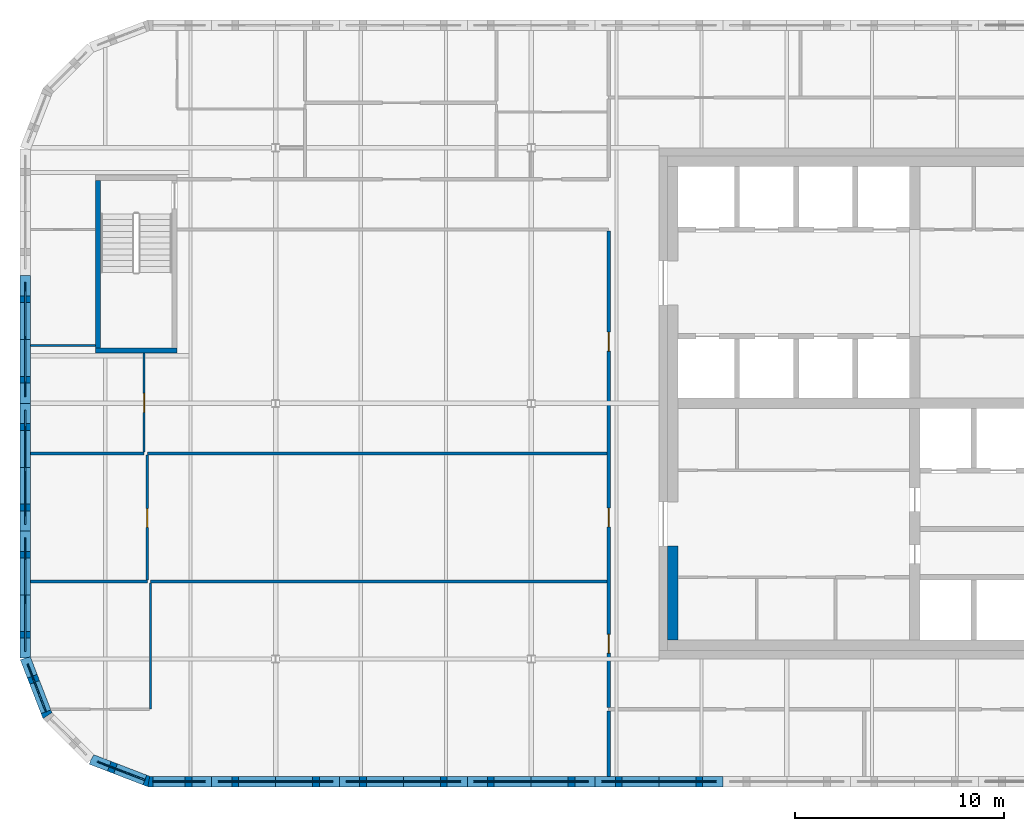
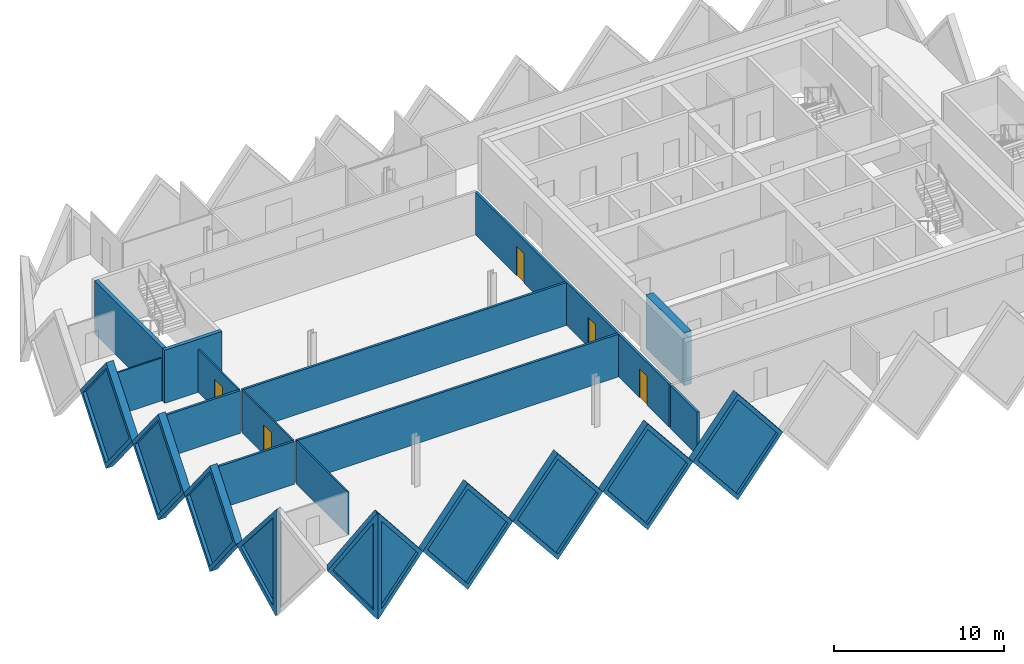
# One storey, part 3 of 10: 23 walls, 10 plates, 5 doors, 15 openings.
"""IFC4 building model written with IfcOpenShell, lengths in metres."""

from ifc_helpers import new_model, si_unit, direction, frame, frame_2d, origin, place, context, subcontext, project, spatial, polyline, rectangle, outline, extrude, faceted_brep, source, transform, mapped, material, layer, layer_set, type_object, element, fill, save


model = new_model("IFC4")

# Units and contexts
model_context = context("Model", 3, precision=1e-05, world=origin(), true_north=direction((0.0, 1.0)))
body_context = subcontext(model_context, "Body", "Model", "MODEL_VIEW")
ifc_project = project(units=[si_unit("LENGTHUNIT", "METRE"), si_unit("AREAUNIT", "SQUARE_METRE"), si_unit("VOLUMEUNIT", "CUBIC_METRE"), si_unit("PLANEANGLEUNIT", "RADIAN"), si_unit("MASSUNIT", "GRAM", prefix="KILO")], contexts=[model_context])

# Site, building, storey
site_placement = place(None, origin())
site = spatial("IfcSite", under=ifc_project, at=site_placement, CompositionType="ELEMENT")
building_placement = place(site_placement, origin())
building = spatial("IfcBuilding", under=site, at=building_placement, Name="Tessera Gate Towers", CompositionType="ELEMENT")
storey_placement = place(building_placement, frame((0.0, 0.0, 244.5)))
storey = spatial("IfcBuildingStorey", under=building, at=storey_placement, Name="L61", CompositionType="ELEMENT", Elevation=244.5)

# Walls
ifc_material_1 = material(Name="Concrete C40/50", Category="concrete")
ifc_layer_1 = layer(ifc_material_1, 0.25)
ifc_layer_set_1 = layer_set([ifc_layer_1], Name="CORE ENCLOSURE WALL 250")
wall_type_1 = type_object("IfcWallType", Name="CORE ENCLOSURE WALL 250", PredefinedType="SOLIDWALL", material=ifc_layer_set_1)
wall_1_placement = place(storey_placement, frame((7.5, 39.125, 0.0), z_axis=(0.0, 0.0, 1.0), x_axis=(-1.0, 0.0, 0.0)))
element("IfcWall", 1, at=wall_1_placement, inside=storey, type_object=wall_type_1, Name="L61 ST3 enclosure wall", PredefinedType="SOLIDWALL", context=body_context, shape_type="SweptSolid", body=[
    extrude(rectangle(XDim=3.89990234375, YDim=0.25, at=frame_2d((1.949951171875, 0.0))), origin(), (0.0, 0.0, 1.0), 3.800048828125),
])
wall_2_placement = place(storey_placement, frame((3.72509765625, 39.25, 0.0), z_axis=(0.0, 0.0, 1.0), x_axis=(0.0, 1.0, 0.0)))
element("IfcWall", 2, at=wall_2_placement, inside=storey, type_object=wall_type_1, Name="L61 ST3 enclosure wall", PredefinedType="SOLIDWALL", context=body_context, shape_type="SweptSolid", body=[
    extrude(rectangle(XDim=8.0, YDim=0.25, at=frame_2d((4.0, 0.0))), origin(), (0.0, 0.0, 1.0), 3.800048828125),
])
ifc_material_2 = material(Name="Concrete C40/50", Category="concrete")
ifc_layer_2 = layer(ifc_material_2, 0.5)
ifc_layer_set_2 = layer_set([ifc_layer_2], Name="CORE WALL THICKENING 500")
wall_type_2 = type_object("IfcWallType", Name="CORE WALL THICKENING 500", PredefinedType="SOLIDWALL", material=ifc_layer_set_2)
wall_3_placement = place(storey_placement, frame((31.14990234375, 25.300048828125, 0.0), z_axis=(0.0, 0.0, 1.0), x_axis=(0.0, 1.0, 0.0)))
element("IfcWall", 3, at=wall_3_placement, inside=storey, type_object=wall_type_2, Name="Core wall thickening W L61", PredefinedType="SOLIDWALL", context=body_context, shape_type="SweptSolid", body=[
    extrude(rectangle(XDim=4.5, YDim=0.5, at=frame_2d((2.25, 0.0))), origin(), (0.0, 0.0, 1.0), 3.800048828125),
])

# Wall, openings, doors
ifc_material_3 = material(Name="Gypsum board on steel studs, mineral wool", Category="steel")
ifc_layer_3 = layer(ifc_material_3, 0.14990234375)
ifc_layer_set_3 = layer_set([ifc_layer_3], Name="CORRIDOR WALL 150")
wall_type_3 = type_object("IfcWallType", Name="CORRIDOR WALL 150", PredefinedType="PARTITIONING", material=ifc_layer_set_3)
wall_4_placement = place(storey_placement, frame((28.10009765625, 22.075927734375, 0.0), z_axis=(0.0, 0.0, 1.0), x_axis=(0.0, 1.0, 0.0)))
wall_4 = element("IfcWall", 4, at=wall_4_placement, inside=storey, type_object=wall_type_3, Name="T1-L61-PW-009", PredefinedType="PARTITIONING", context=body_context, shape_type="SweptSolid", body=[
    extrude(rectangle(XDim=22.748046875, YDim=0.14990234375, at=frame_2d((11.3740234375, 0.0))), origin(), (0.0, 0.0, 1.0), 3.06689453125),
])
shared_shape_1 = source(origin(), body_context, "Body", "SweptSolid", [
    extrude(rectangle(XDim=0.89990234375, YDim=2.10009765625, at=frame_2d((0.449951171875, 1.050048828125))), frame((0.0, 0.0849609375, 0.0), z_axis=(0.0, -1.0, 0.0), x_axis=(1.0, 0.0, 0.0)), (0.0, 0.0, 1.0), 0.169921875),
])
opening_1_placement = place(wall_4_placement, frame((2.60009765625, 0.0, 0.0)))
opening_1 = element("IfcOpeningElement", 5, at=opening_1_placement, cuts=wall_4, Name="Opening D890FD60-A21-03", PredefinedType="OPENING", context=body_context, shape_type="MappedRepresentation", body=[
    mapped(shared_shape_1, transform((0.0, 0.0, 0.0), scale=1.0)),
])
opening_2_placement = place(wall_4_placement, frame((8.625, 0.0, 0.0)))
opening_2 = element("IfcOpeningElement", 6, at=opening_2_placement, cuts=wall_4, Name="Opening D890FD60-A21-04", PredefinedType="OPENING", context=body_context, shape_type="MappedRepresentation", body=[
    mapped(shared_shape_1, transform((0.0, 0.0, 0.0), scale=1.0)),
])
opening_3_placement = place(wall_4_placement, frame((17.02392578125, 0.0, 0.0)))
opening_3 = element("IfcOpeningElement", 7, at=opening_3_placement, cuts=wall_4, Name="Opening D890FD60-A21-09", PredefinedType="OPENING", context=body_context, shape_type="MappedRepresentation", body=[
    mapped(shared_shape_1, transform((0.0, 0.0, 0.0), scale=1.0)),
])
ifc_material_4 = material(Name="Timber door leaf in steel frame", Category="steel")
door_type_1 = type_object("IfcDoorType", Name="CORRIDOR DOOR 900 FD60", OperationType="NOTDEFINED", PredefinedType="DOOR", material=ifc_material_4)
shared_shape_2 = source(origin(), body_context, "Body", "SweptSolid", [
    extrude(rectangle(XDim=0.89990234375, YDim=2.10009765625, at=frame_2d((0.449951171875, 1.050048828125))), frame((0.0, 0.02490234375, 0.0), z_axis=(0.0, -1.0, 0.0), x_axis=(1.0, 0.0, 0.0)), (0.0, 0.0, 1.0), 0.050048828125),
])
door_1_placement = place(opening_1_placement, origin())
door_1 = element("IfcDoor", 8, at=door_1_placement, inside=storey, type_object=door_type_1, Name="T1-L61-PD-007", OperationType="SINGLE_SWING_LEFT", OverallHeight=2.10009765625, OverallWidth=0.89990234375, PredefinedType="DOOR", context=body_context, shape_type="MappedRepresentation", body=[
    mapped(shared_shape_2, transform((0.0, 0.0, 0.0), scale=1.0)),
])
fill(opening_1, door_1)
door_2_placement = place(opening_2_placement, origin())
door_2 = element("IfcDoor", 9, at=door_2_placement, inside=storey, type_object=door_type_1, Name="T1-L61-PD-008", OperationType="SINGLE_SWING_LEFT", OverallHeight=2.10009765625, OverallWidth=0.89990234375, PredefinedType="DOOR", context=body_context, shape_type="MappedRepresentation", body=[
    mapped(shared_shape_2, transform((0.0, 0.0, 0.0), scale=1.0)),
])
fill(opening_2, door_2)
door_3_placement = place(opening_3_placement, origin())
door_3 = element("IfcDoor", 10, at=door_3_placement, inside=storey, type_object=door_type_1, Name="T1-L61-PD-016", OperationType="SINGLE_SWING_LEFT", OverallHeight=2.10009765625, OverallWidth=0.89990234375, PredefinedType="DOOR", context=body_context, shape_type="MappedRepresentation", body=[
    mapped(shared_shape_2, transform((0.0, 0.0, 0.0), scale=1.0)),
])
fill(opening_3, door_3)

# Wall
ifc_material_5 = material(Name="Glass", Category="glass")
ifc_layer_4 = layer(ifc_material_5, 0.10009765625)
ifc_layer_set_4 = layer_set([ifc_layer_4], Name="GLAZED PARTITION 100")
wall_type_4 = type_object("IfcWallType", Name="GLAZED PARTITION 100", PredefinedType="PARTITIONING", material=ifc_layer_set_4)
wall_5_placement = place(storey_placement, frame((6.22509765625, 22.0, 0.0), z_axis=(0.0, 0.0, 1.0), x_axis=(0.0, 1.0, 0.0)))
element("IfcWall", 11, at=wall_5_placement, inside=storey, type_object=wall_type_4, Name="T1-L61-PW-005", PredefinedType="PARTITIONING", context=body_context, shape_type="SweptSolid", body=[
    extrude(rectangle(XDim=6.02392578125, YDim=0.10009765625, at=frame_2d((3.011962890625, 0.0))), origin(), (0.0, 0.0, 1.0), 3.06689453125),
])

# Wall, opening, door
wall_6_placement = place(storey_placement, frame((6.074951171875, 28.176025390625, 0.0), z_axis=(0.0, 0.0, 1.0), x_axis=(0.0, 1.0, 0.0)))
wall_6 = element("IfcWall", 12, at=wall_6_placement, inside=storey, type_object=wall_type_4, Name="T1-L61-PW-012", PredefinedType="PARTITIONING", context=body_context, shape_type="SweptSolid", body=[
    extrude(rectangle(XDim=5.947998046875, YDim=0.10009765625, at=frame_2d((2.97412109375, 0.0))), origin(), (0.0, 0.0, 1.0), 3.06689453125),
])
shared_shape_3 = source(origin(), body_context, "Body", "SweptSolid", [
    extrude(rectangle(XDim=0.89990234375, YDim=2.10009765625, at=frame_2d((0.449951171875, 1.050048828125))), frame((0.0, 0.06005859375, 0.0), z_axis=(0.0, -1.0, 0.0), x_axis=(1.0, 0.0, 0.0)), (0.0, 0.0, 1.0), 0.1201171875),
])
opening_4_placement = place(wall_6_placement, frame((2.5, 0.0, 0.0)))
opening_4 = element("IfcOpeningElement", 13, at=opening_4_placement, cuts=wall_6, Name="Opening D690-A21-04", PredefinedType="OPENING", context=body_context, shape_type="MappedRepresentation", body=[
    mapped(shared_shape_3, transform((0.0, 0.0, 0.0), scale=1.0)),
])
ifc_material_6 = material(Name="Glass in aluminium frame", Category="aluminium")
door_type_2 = type_object("IfcDoorType", Name="GLAZED DOOR 900 NOT RATED", OperationType="NOTDEFINED", PredefinedType="DOOR", material=ifc_material_6)
door_4_placement = place(opening_4_placement, origin())
door_4 = element("IfcDoor", 14, at=door_4_placement, inside=storey, type_object=door_type_2, Name="T1-L61-PD-006", OperationType="SINGLE_SWING_LEFT", OverallHeight=2.10009765625, OverallWidth=0.89990234375, PredefinedType="DOOR", context=body_context, shape_type="MappedRepresentation", body=[
    mapped(shared_shape_2, transform((0.0, 0.0, 0.0), scale=1.0)),
])
fill(opening_4, door_4)

wall_7_placement = place(storey_placement, frame((5.925048828125, 34.27587890625, 0.0), z_axis=(0.0, 0.0, 1.0), x_axis=(0.0, 1.0, 0.0)))
wall_7 = element("IfcWall", 15, at=wall_7_placement, inside=storey, type_object=wall_type_4, Name="T1-L61-PW-015", PredefinedType="PARTITIONING", context=body_context, shape_type="SweptSolid", body=[
    extrude(rectangle(XDim=4.72412109375, YDim=0.10009765625, at=frame_2d((2.362060546875, 0.0))), origin(), (0.0, 0.0, 1.0), 3.06689453125),
])
opening_5_placement = place(wall_7_placement, frame((1.89990234375, 0.0, 0.0)))
opening_5 = element("IfcOpeningElement", 16, at=opening_5_placement, cuts=wall_7, Name="Opening D690-A21-02", PredefinedType="OPENING", context=body_context, shape_type="MappedRepresentation", body=[
    mapped(shared_shape_3, transform((0.0, 0.0, 0.0), scale=1.0)),
])
door_5_placement = place(opening_5_placement, origin())
door_5 = element("IfcDoor", 17, at=door_5_placement, inside=storey, type_object=door_type_2, Name="T1-L61-PD-003", OperationType="SINGLE_SWING_LEFT", OverallHeight=2.10009765625, OverallWidth=0.89990234375, PredefinedType="DOOR", context=body_context, shape_type="MappedRepresentation", body=[
    mapped(shared_shape_2, transform((0.0, 0.0, 0.0), scale=1.0)),
])
fill(opening_5, door_5)

# Walls
ifc_material_7 = material(Name="Gypsum board on steel studs", Category="steel")
ifc_layer_5 = layer(ifc_material_7, 0.10009765625)
ifc_layer_set_5 = layer_set([ifc_layer_5], Name="PARTITION 100")
wall_type_5 = type_object("IfcWallType", Name="PARTITION 100", PredefinedType="PARTITIONING", material=ifc_layer_set_5)
wall_8_placement = place(storey_placement, frame((0.5, 39.368896484375, 0.0), z_axis=(0.0, 0.0, 1.0), x_axis=(1.0, 0.0, 0.0)))
element("IfcWall", 18, at=wall_8_placement, inside=storey, type_object=wall_type_5, Name="T1-L61-PW-016", PredefinedType="PARTITIONING", context=body_context, shape_type="SweptSolid", body=[
    extrude(rectangle(XDim=3.10009765625, YDim=0.10009765625, at=frame_2d((1.550048828125, 0.0))), origin(), (0.0, 0.0, 1.0), 3.06689453125),
])
ifc_material_8 = material(Name="Gypsum board on steel studs, mineral wool", Category="steel")
ifc_layer_6 = layer(ifc_material_8, 0.14990234375)
ifc_layer_set_6 = layer_set([ifc_layer_6], Name="TENANCY WALL 150")
wall_type_6 = type_object("IfcWallType", Name="TENANCY WALL 150", PredefinedType="PARTITIONING", material=ifc_layer_set_6)
wall_9_placement = place(storey_placement, frame((28.10009765625, 18.800048828125, 0.0), z_axis=(0.0, 0.0, 1.0), x_axis=(0.0, 1.0, 0.0)))
element("IfcWall", 19, at=wall_9_placement, inside=storey, type_object=wall_type_6, Name="T1-L61-PW-001", PredefinedType="PARTITIONING", context=body_context, shape_type="SweptSolid", body=[
    extrude(rectangle(XDim=3.1240234375, YDim=0.14990234375, at=frame_2d((1.56201171875, 0.0))), origin(), (0.0, 0.0, 1.0), 3.06689453125),
])
wall_10_placement = place(storey_placement, frame((0.5, 28.10009765625, 0.0), z_axis=(0.0, 0.0, 1.0), x_axis=(1.0, 0.0, 0.0)))
element("IfcWall", 20, at=wall_10_placement, inside=storey, type_object=wall_type_6, Name="T1-L61-PW-010", PredefinedType="PARTITIONING", context=body_context, shape_type="SweptSolid", body=[
    extrude(rectangle(XDim=5.574951171875, YDim=0.14990234375, at=frame_2d((2.78759765625, 0.0))), origin(), (0.0, 0.0, 1.0), 3.06689453125),
])
wall_11_placement = place(storey_placement, frame((6.22509765625, 28.10009765625, 0.0), z_axis=(0.0, 0.0, 1.0), x_axis=(1.0, 0.0, 0.0)))
element("IfcWall", 21, at=wall_11_placement, inside=storey, type_object=wall_type_6, Name="T1-L61-PW-011", PredefinedType="PARTITIONING", context=body_context, shape_type="SweptSolid", body=[
    extrude(rectangle(XDim=21.798828125, YDim=0.14990234375, at=frame_2d((10.8994140625, 0.0))), origin(), (0.0, 0.0, 1.0), 3.06689453125),
])
wall_12_placement = place(storey_placement, frame((0.5, 34.199951171875, 0.0), z_axis=(0.0, 0.0, 1.0), x_axis=(1.0, 0.0, 0.0)))
element("IfcWall", 22, at=wall_12_placement, inside=storey, type_object=wall_type_6, Name="T1-L61-PW-013", PredefinedType="PARTITIONING", context=body_context, shape_type="SweptSolid", body=[
    extrude(rectangle(XDim=5.425048828125, YDim=0.14990234375, at=frame_2d((2.71240234375, 0.0))), origin(), (0.0, 0.0, 1.0), 3.06689453125),
])
wall_13_placement = place(storey_placement, frame((6.074951171875, 34.199951171875, 0.0), z_axis=(0.0, 0.0, 1.0), x_axis=(1.0, 0.0, 0.0)))
element("IfcWall", 23, at=wall_13_placement, inside=storey, type_object=wall_type_6, Name="T1-L61-PW-014", PredefinedType="PARTITIONING", context=body_context, shape_type="SweptSolid", body=[
    extrude(rectangle(XDim=21.948974609375, YDim=0.14990234375, at=frame_2d((10.974609375, 0.0))), origin(), (0.0, 0.0, 1.0), 3.06689453125),
])

# Wall, opening, plate
ifc_material_9 = material(Name="Precast concrete C60/75 white", Category="concrete")
ifc_layer_7 = layer(ifc_material_9, 0.5)
ifc_layer_set_7 = layer_set([ifc_layer_7], Name="TS1 tessera")
wall_type_7 = type_object("IfcWallType", Name="TS1 tessera", PredefinedType="SOLIDWALL", material=ifc_layer_set_7)
shared_shape_4 = source(origin(), body_context, "Body", "Brep", [
    faceted_brep([(3.050048828125, -0.25, 0.0), (6.099853515625, -0.25, 3.7998046875), (6.099853515625, -0.25, 3.80029296875), (3.050048828125, -0.25, 7.60009765625), (0.0, -0.25, 3.800048828125), (0.0, 0.25, 3.800048828125), (3.050048828125, 0.25, 7.60009765625), (6.099853515625, 0.25, 3.80029296875), (6.099853515625, 0.25, 3.7998046875), (3.050048828125, 0.25, 0.0)], [[[0, 1, 2, 3, 4]], [[5, 6, 7, 8, 9]], [[9, 8, 1, 0]], [[7, 6, 3, 2]], [[6, 5, 4, 3]], [[5, 9, 0, 4]], [[1, 8, 7, 2]]]),
])
wall_14_placement = place(storey_placement, frame((21.35009765625, 18.550048828125, -3.800048828125), z_axis=(0.0, 0.0, 1.0), x_axis=(1.0, 0.0, 0.0)))
wall_14 = element("IfcWall", 24, at=wall_14_placement, inside=storey, type_object=wall_type_7, Name="Precast tessera T1 TS1-1059", PredefinedType="SOLIDWALL", context=body_context, shape_type="MappedRepresentation", body=[
    mapped(shared_shape_4, transform((0.0, 0.0, 0.0), scale=1.0)),
])
shared_shape_5 = source(origin(), body_context, "Body", "SweptSolid", [
    extrude(outline(polyline([(3.050048828125, 0.3994140625), (5.779541015625, 3.800048828125), (3.050048828125, 7.20068359375), (0.320556640625, 3.800048828125), (3.050048828125, 0.3994140625)])), frame((0.0, 0.260009765625, 0.0), z_axis=(0.0, -1.0, 0.0), x_axis=(1.0, 0.0, 0.0)), (0.0, 0.0, 1.0), 0.52001953125),
])
opening_6_placement = place(wall_14_placement, origin())
opening_6 = element("IfcOpeningElement", 25, at=opening_6_placement, cuts=wall_14, Name="Opening T1-PL2-2161", PredefinedType="OPENING", context=body_context, shape_type="MappedRepresentation", body=[
    mapped(shared_shape_5, transform((0.0, 0.0, 0.0), scale=1.0)),
])
ifc_material_10 = material(Name="Low-e laminated glass", Category="glass")
ifc_layer_8 = layer(ifc_material_10, 0.06005859375)
ifc_layer_set_8 = layer_set([ifc_layer_8], Name="PL2 rhombic pane")
plate_type = type_object("IfcPlateType", Name="PL2 rhombic pane", PredefinedType="SHEET", material=ifc_layer_set_8)
shared_shape_6 = source(origin(), body_context, "Body", "SweptSolid", [
    extrude(outline(polyline([(3.050048828125, 0.3994140625), (5.779541015625, 3.800048828125), (3.050048828125, 7.20068359375), (0.320556640625, 3.800048828125), (3.050048828125, 0.3994140625)])), frame((0.0, 0.030029296875, 0.0), z_axis=(0.0, -1.0, 0.0), x_axis=(1.0, 0.0, 0.0)), (0.0, 0.0, 1.0), 0.06005859375),
])
plate_1_placement = place(opening_6_placement, origin())
plate_1 = element("IfcPlate", 26, at=plate_1_placement, inside=storey, type_object=plate_type, Name="Glass pane T1 PL2-2161", PredefinedType="SHEET", context=body_context, shape_type="MappedRepresentation", body=[
    mapped(shared_shape_6, transform((0.0, 0.0, 0.0), scale=1.0)),
])
fill(opening_6, plate_1)

wall_15_placement = place(storey_placement, frame((0.25, 42.699951171875, -3.800048828125), z_axis=(0.0, 0.0, 1.0), x_axis=(0.0, -1.0, 0.0)))
wall_15 = element("IfcWall", 27, at=wall_15_placement, inside=storey, type_object=wall_type_7, Name="Precast tessera T1 TS1-1076", PredefinedType="SOLIDWALL", context=body_context, shape_type="MappedRepresentation", body=[
    mapped(shared_shape_4, transform((0.0, 0.0, 0.0), scale=1.0)),
])
opening_7_placement = place(wall_15_placement, origin())
opening_7 = element("IfcOpeningElement", 28, at=opening_7_placement, cuts=wall_15, Name="Opening T1-PL2-2190", PredefinedType="OPENING", context=body_context, shape_type="MappedRepresentation", body=[
    mapped(shared_shape_5, transform((0.0, 0.0, 0.0), scale=1.0)),
])
plate_2_placement = place(opening_7_placement, origin())
plate_2 = element("IfcPlate", 29, at=plate_2_placement, inside=storey, type_object=plate_type, Name="Glass pane T1 PL2-2190", PredefinedType="SHEET", context=body_context, shape_type="MappedRepresentation", body=[
    mapped(shared_shape_6, transform((0.0, 0.0, 0.0), scale=1.0)),
])
fill(opening_7, plate_2)

shared_shape_7 = source(origin(), body_context, "Body", "SweptSolid", [
    extrude(outline(polyline([(3.050048828125, 0.0), (6.10009765625, 3.800048828125), (3.050048828125, 7.60009765625), (0.0, 3.800048828125), (3.050048828125, 0.0)])), frame((0.0, 0.25, 0.0), z_axis=(0.0, -1.0, 0.0), x_axis=(1.0, 0.0, 0.0)), (0.0, 0.0, 1.0), 0.5),
])
wall_16_placement = place(storey_placement, frame((9.14990234375, 18.550048828125, -3.800048828125), z_axis=(0.0, 0.0, 1.0), x_axis=(1.0, 0.0, 0.0)))
wall_16 = element("IfcWall", 30, at=wall_16_placement, inside=storey, type_object=wall_type_7, Name="Precast tessera T1 TS1-1057", PredefinedType="SOLIDWALL", context=body_context, shape_type="MappedRepresentation", body=[
    mapped(shared_shape_7, transform((0.0, 0.0, 0.0), scale=1.0)),
])
opening_8_placement = place(wall_16_placement, origin())
opening_8 = element("IfcOpeningElement", 31, at=opening_8_placement, cuts=wall_16, Name="Opening T1-PL2-2159", PredefinedType="OPENING", context=body_context, shape_type="MappedRepresentation", body=[
    mapped(shared_shape_5, transform((0.0, 0.0, 0.0), scale=1.0)),
])
plate_3_placement = place(opening_8_placement, origin())
plate_3 = element("IfcPlate", 32, at=plate_3_placement, inside=storey, type_object=plate_type, Name="Glass pane T1 PL2-2159", PredefinedType="SHEET", context=body_context, shape_type="MappedRepresentation", body=[
    mapped(shared_shape_6, transform((0.0, 0.0, 0.0), scale=1.0)),
])
fill(opening_8, plate_3)

wall_17_placement = place(storey_placement, frame((15.25, 18.550048828125, -3.800048828125), z_axis=(0.0, 0.0, 1.0), x_axis=(1.0, 0.0, 0.0)))
wall_17 = element("IfcWall", 33, at=wall_17_placement, inside=storey, type_object=wall_type_7, Name="Precast tessera T1 TS1-1058", PredefinedType="SOLIDWALL", context=body_context, shape_type="MappedRepresentation", body=[
    mapped(shared_shape_7, transform((0.0, 0.0, 0.0), scale=1.0)),
])
opening_9_placement = place(wall_17_placement, origin())
opening_9 = element("IfcOpeningElement", 34, at=opening_9_placement, cuts=wall_17, Name="Opening T1-PL2-2160", PredefinedType="OPENING", context=body_context, shape_type="MappedRepresentation", body=[
    mapped(shared_shape_5, transform((0.0, 0.0, 0.0), scale=1.0)),
])
plate_4_placement = place(opening_9_placement, origin())
plate_4 = element("IfcPlate", 35, at=plate_4_placement, inside=storey, type_object=plate_type, Name="Glass pane T1 PL2-2160", PredefinedType="SHEET", context=body_context, shape_type="MappedRepresentation", body=[
    mapped(shared_shape_6, transform((0.0, 0.0, 0.0), scale=1.0)),
])
fill(opening_9, plate_4)

wall_18_placement = place(storey_placement, frame((27.449951171875, 18.550048828125, -3.800048828125), z_axis=(0.0, 0.0, 1.0), x_axis=(1.0, 0.0, 0.0)))
wall_18 = element("IfcWall", 36, at=wall_18_placement, inside=storey, type_object=wall_type_7, Name="Precast tessera T1 TS1-1060", PredefinedType="SOLIDWALL", context=body_context, shape_type="MappedRepresentation", body=[
    mapped(shared_shape_7, transform((0.0, 0.0, 0.0), scale=1.0)),
])
opening_10_placement = place(wall_18_placement, origin())
opening_10 = element("IfcOpeningElement", 37, at=opening_10_placement, cuts=wall_18, Name="Opening T1-PL2-2162", PredefinedType="OPENING", context=body_context, shape_type="MappedRepresentation", body=[
    mapped(shared_shape_5, transform((0.0, 0.0, 0.0), scale=1.0)),
])
plate_5_placement = place(opening_10_placement, origin())
plate_5 = element("IfcPlate", 38, at=plate_5_placement, inside=storey, type_object=plate_type, Name="Glass pane T1 PL2-2162", PredefinedType="SHEET", context=body_context, shape_type="MappedRepresentation", body=[
    mapped(shared_shape_6, transform((0.0, 0.0, 0.0), scale=1.0)),
])
fill(opening_10, plate_5)

wall_19_placement = place(storey_placement, frame((0.25, 36.60009765625, -3.800048828125), z_axis=(0.0, 0.0, 1.0), x_axis=(0.0, -1.0, 0.0)))
wall_19 = element("IfcWall", 39, at=wall_19_placement, inside=storey, type_object=wall_type_7, Name="Precast tessera T1 TS1-1077", PredefinedType="SOLIDWALL", context=body_context, shape_type="MappedRepresentation", body=[
    mapped(shared_shape_7, transform((0.0, 0.0, 0.0), scale=1.0)),
])
opening_11_placement = place(wall_19_placement, origin())
opening_11 = element("IfcOpeningElement", 40, at=opening_11_placement, cuts=wall_19, Name="Opening T1-PL2-2191", PredefinedType="OPENING", context=body_context, shape_type="MappedRepresentation", body=[
    mapped(shared_shape_5, transform((0.0, 0.0, 0.0), scale=1.0)),
])
plate_6_placement = place(opening_11_placement, origin())
plate_6 = element("IfcPlate", 41, at=plate_6_placement, inside=storey, type_object=plate_type, Name="Glass pane T1 PL2-2191", PredefinedType="SHEET", context=body_context, shape_type="MappedRepresentation", body=[
    mapped(shared_shape_6, transform((0.0, 0.0, 0.0), scale=1.0)),
])
fill(opening_11, plate_6)

shared_shape_8 = source(origin(), body_context, "Body", "Brep", [
    faceted_brep([(3.050048828125, -0.25, 0.0), (6.053466796875, -0.25, 3.800048828125), (3.050048828125, -0.25, 7.60009765625), (0.0, -0.25, 3.800048828125), (0.0, 0.25, 3.800048828125), (3.050048828125, 0.25, 7.60009765625), (6.0068359375, 0.25, 3.85888671875), (6.0068359375, 0.25, 3.7412109375), (3.050048828125, 0.25, 0.0), (6.053466796875, 0.0, 3.800048828125)], [[[0, 1, 2, 3]], [[4, 5, 6, 7, 8]], [[8, 7, 9, 1, 0]], [[6, 5, 2, 1, 9]], [[5, 4, 3, 2]], [[4, 8, 0, 3]], [[9, 7, 6]]]),
])
wall_20_placement = place(storey_placement, frame((0.25, 30.5, -3.800048828125), z_axis=(0.0, 0.0, 1.0), x_axis=(0.0, -1.0, 0.0)))
wall_20 = element("IfcWall", 42, at=wall_20_placement, inside=storey, type_object=wall_type_7, Name="Precast tessera T1 TS1-1078", PredefinedType="SOLIDWALL", context=body_context, shape_type="MappedRepresentation", body=[
    mapped(shared_shape_8, transform((0.0, 0.0, 0.0), scale=1.0)),
])
shared_shape_9 = source(origin(), body_context, "Body", "SweptSolid", [
    extrude(outline(polyline([(3.048583984375, 0.4013671875), (5.73486328125, 3.800048828125), (3.048583984375, 7.19873046875), (0.320556640625, 3.800048828125), (3.048583984375, 0.4013671875)])), frame((0.0, 0.260009765625, 0.0), z_axis=(0.0, -1.0, 0.0), x_axis=(1.0, 0.0, 0.0)), (0.0, 0.0, 1.0), 0.52001953125),
])
opening_12_placement = place(wall_20_placement, origin())
opening_12 = element("IfcOpeningElement", 43, at=opening_12_placement, cuts=wall_20, Name="Opening T1-PL2-2192", PredefinedType="OPENING", context=body_context, shape_type="MappedRepresentation", body=[
    mapped(shared_shape_9, transform((0.0, 0.0, 0.0), scale=1.0)),
])
shared_shape_10 = source(origin(), body_context, "Body", "SweptSolid", [
    extrude(outline(polyline([(3.048583984375, 0.4013671875), (5.73486328125, 3.800048828125), (3.048583984375, 7.19873046875), (0.320556640625, 3.800048828125), (3.048583984375, 0.4013671875)])), frame((0.0, 0.030029296875, 0.0), z_axis=(0.0, -1.0, 0.0), x_axis=(1.0, 0.0, 0.0)), (0.0, 0.0, 1.0), 0.06005859375),
])
plate_7_placement = place(opening_12_placement, origin())
plate_7 = element("IfcPlate", 44, at=plate_7_placement, inside=storey, type_object=plate_type, Name="Glass pane T1 PL2-2192", PredefinedType="SHEET", context=body_context, shape_type="MappedRepresentation", body=[
    mapped(shared_shape_10, transform((0.0, 0.0, 0.0), scale=1.0)),
])
fill(opening_12, plate_7)

ifc_material_11 = material(Name="Precast concrete C60/75 white", Category="concrete")
ifc_layer_9 = layer(ifc_material_11, 0.5)
ifc_layer_set_9 = layer_set([ifc_layer_9], Name="TS3 corner tessera")
wall_type_8 = type_object("IfcWallType", Name="TS3 corner tessera", PredefinedType="SOLIDWALL", material=ifc_layer_set_9)
shared_shape_11 = source(origin(), body_context, "Body", "Brep", [
    faceted_brep([(2.950439453125, -0.25, 0.0), (2.9970703125, -0.25, 0.05908203125), (2.9970703125, -0.25, 7.541015625), (2.950439453125, -0.25, 7.60009765625), (0.0, -0.25, 3.800048828125), (0.052978515625, 0.25, 3.8681640625), (2.904052734375, 0.25, 7.540283203125), (2.904052734375, 0.25, 0.059814453125), (0.052978515625, 0.25, 3.73193359375), (2.950439453125, 0.00048828125, 0.0), (2.950439453125, 0.00048828125, 7.60009765625), (0.0, 0.0, 3.800048828125)], [[[0, 1, 2, 3, 4]], [[5, 6, 7, 8]], [[1, 0, 9]], [[10, 3, 2]], [[6, 5, 11, 4, 3, 10]], [[8, 7, 9, 0, 4, 11]], [[8, 11, 5]], [[1, 9, 7, 6, 10, 2]]]),
])
wall_21_placement = place(storey_placement, frame((3.393798828125, 19.61181640625, -3.800048828125), z_axis=(0.0, 0.0, 1.0), x_axis=(0.932990326376, -0.359901446078, 0.0)))
wall_21 = element("IfcWall", 45, at=wall_21_placement, inside=storey, type_object=wall_type_8, Name="Precast corner tessera T1 TS3-1402", PredefinedType="SOLIDWALL", context=body_context, shape_type="MappedRepresentation", body=[
    mapped(shared_shape_11, transform((0.0, 0.0, 0.0), scale=1.0)),
])
shared_shape_12 = source(origin(), body_context, "Body", "SweptSolid", [
    extrude(outline(polyline([(2.75048828125, 6.934814453125), (0.31640625, 3.800048828125), (2.75048828125, 0.665283203125), (2.75048828125, 6.934814453125)])), frame((0.0, 0.260009765625, 0.0), z_axis=(0.0, -1.0, 0.0), x_axis=(1.0, 0.0, 0.0)), (0.0, 0.0, 1.0), 0.52001953125),
])
opening_13_placement = place(wall_21_placement, origin())
opening_13 = element("IfcOpeningElement", 46, at=opening_13_placement, cuts=wall_21, Name="Opening T1-PL2-2158", PredefinedType="OPENING", context=body_context, shape_type="MappedRepresentation", body=[
    mapped(shared_shape_12, transform((0.0, 0.0, 0.0), scale=1.0)),
])
shared_shape_13 = source(origin(), body_context, "Body", "SweptSolid", [
    extrude(outline(polyline([(2.75048828125, 6.934814453125), (0.31640625, 3.800048828125), (2.75048828125, 0.665283203125), (2.75048828125, 6.934814453125)])), frame((0.0, 0.030029296875, 0.0), z_axis=(0.0, -1.0, 0.0), x_axis=(1.0, 0.0, 0.0)), (0.0, 0.0, 1.0), 0.06005859375),
])
plate_8_placement = place(opening_13_placement, origin())
plate_8 = element("IfcPlate", 47, at=plate_8_placement, inside=storey, type_object=plate_type, Name="Glass pane T1 PL2-2158", PredefinedType="SHEET", context=body_context, shape_type="MappedRepresentation", body=[
    mapped(shared_shape_13, transform((0.0, 0.0, 0.0), scale=1.0)),
])
fill(opening_13, plate_8)

shared_shape_14 = source(origin(), body_context, "Body", "Brep", [
    faceted_brep([(0.046630859375, -0.25, 0.0), (3.050048828125, -0.25, 3.800048828125), (0.046630859375, -0.25, 7.60009765625), (0.0, -0.25, 7.5400390625), (0.0, -0.25, 0.06005859375), (0.09326171875, 0.25, 7.541259765625), (3.050048828125, 0.25, 3.800048828125), (0.09326171875, 0.25, 0.058837890625), (0.046630859375, 0.0, 0.0), (0.046630859375, 0.0, 7.60009765625)], [[[0, 1, 2, 3, 4]], [[5, 6, 7]], [[7, 6, 1, 0, 8]], [[6, 5, 9, 2, 1]], [[3, 2, 9]], [[8, 0, 4]], [[7, 8, 4, 3, 9, 5]]]),
])
wall_22_placement = place(storey_placement, frame((6.099853515625, 18.550048828125, -3.800048828125), z_axis=(0.0, 0.0, 1.0), x_axis=(1.0, 0.0, 0.0)))
wall_22 = element("IfcWall", 48, at=wall_22_placement, inside=storey, type_object=wall_type_8, Name="Precast corner tessera T1 TS3-1401", PredefinedType="SOLIDWALL", context=body_context, shape_type="MappedRepresentation", body=[
    mapped(shared_shape_14, transform((0.0, 0.0, 0.0), scale=1.0)),
])
shared_shape_15 = source(origin(), body_context, "Body", "SweptSolid", [
    extrude(outline(polyline([(0.24658203125, 0.65625), (2.7314453125, 3.800048828125), (0.24658203125, 6.94384765625), (0.24658203125, 0.65625)])), frame((0.0, 0.260009765625, 0.0), z_axis=(0.0, -1.0, 0.0), x_axis=(1.0, 0.0, 0.0)), (0.0, 0.0, 1.0), 0.52001953125),
])
opening_14_placement = place(wall_22_placement, origin())
opening_14 = element("IfcOpeningElement", 49, at=opening_14_placement, cuts=wall_22, Name="Opening T1-PL2-2157", PredefinedType="OPENING", context=body_context, shape_type="MappedRepresentation", body=[
    mapped(shared_shape_15, transform((0.0, 0.0, 0.0), scale=1.0)),
])
shared_shape_16 = source(origin(), body_context, "Body", "SweptSolid", [
    extrude(outline(polyline([(0.24658203125, 0.65625), (2.7314453125, 3.800048828125), (0.24658203125, 6.94384765625), (0.24658203125, 0.65625)])), frame((0.0, 0.030029296875, 0.0), z_axis=(0.0, -1.0, 0.0), x_axis=(1.0, 0.0, 0.0)), (0.0, 0.0, 1.0), 0.06005859375),
])
plate_9_placement = place(opening_14_placement, origin())
plate_9 = element("IfcPlate", 50, at=plate_9_placement, inside=storey, type_object=plate_type, Name="Glass pane T1 PL2-2157", PredefinedType="SHEET", context=body_context, shape_type="MappedRepresentation", body=[
    mapped(shared_shape_16, transform((0.0, 0.0, 0.0), scale=1.0)),
])
fill(opening_14, plate_9)

shared_shape_17 = source(origin(), body_context, "Body", "Brep", [
    faceted_brep([(2.950439453125, -0.25, 0.0), (3.00341796875, -0.25, 0.068359375), (3.00341796875, -0.25, 7.53173828125), (2.950439453125, -0.25, 7.60009765625), (0.0, -0.25, 3.800048828125), (0.046630859375, 0.25, 3.860107421875), (2.897705078125, 0.25, 7.531982421875), (2.897705078125, 0.25, 0.068115234375), (0.046630859375, 0.25, 3.739990234375), (2.950439453125, 0.00048828125, 0.0), (2.950439453125, 0.00048828125, 7.60009765625), (0.0, 0.0, 3.800048828125)], [[[0, 1, 2, 3, 4]], [[5, 6, 7, 8]], [[1, 0, 9]], [[10, 3, 2]], [[6, 5, 11, 4, 3, 10]], [[8, 7, 9, 0, 4, 11]], [[8, 11, 5]], [[1, 9, 7, 6, 10, 2]]]),
])
wall_23_placement = place(storey_placement, frame((0.25, 24.446533203125, -3.800048828125), z_axis=(0.0, 0.0, 1.0), x_axis=(0.35992665181, -0.932980602862, 0.0)))
wall_23 = element("IfcWall", 51, at=wall_23_placement, inside=storey, type_object=wall_type_8, Name="Precast corner tessera T1 TS3-1415", PredefinedType="SOLIDWALL", context=body_context, shape_type="MappedRepresentation", body=[
    mapped(shared_shape_17, transform((0.0, 0.0, 0.0), scale=1.0)),
])
opening_15_placement = place(wall_23_placement, origin())
opening_15 = element("IfcOpeningElement", 52, at=opening_15_placement, cuts=wall_23, Name="Opening T1-PL2-2193", PredefinedType="OPENING", context=body_context, shape_type="MappedRepresentation", body=[
    mapped(shared_shape_12, transform((0.0, 0.0, 0.0), scale=1.0)),
])
plate_10_placement = place(opening_15_placement, origin())
plate_10 = element("IfcPlate", 53, at=plate_10_placement, inside=storey, type_object=plate_type, Name="Glass pane T1 PL2-2193", PredefinedType="SHEET", context=body_context, shape_type="MappedRepresentation", body=[
    mapped(shared_shape_13, transform((0.0, 0.0, 0.0), scale=1.0)),
])
fill(opening_15, plate_10)

save(model, "model.ifc")
